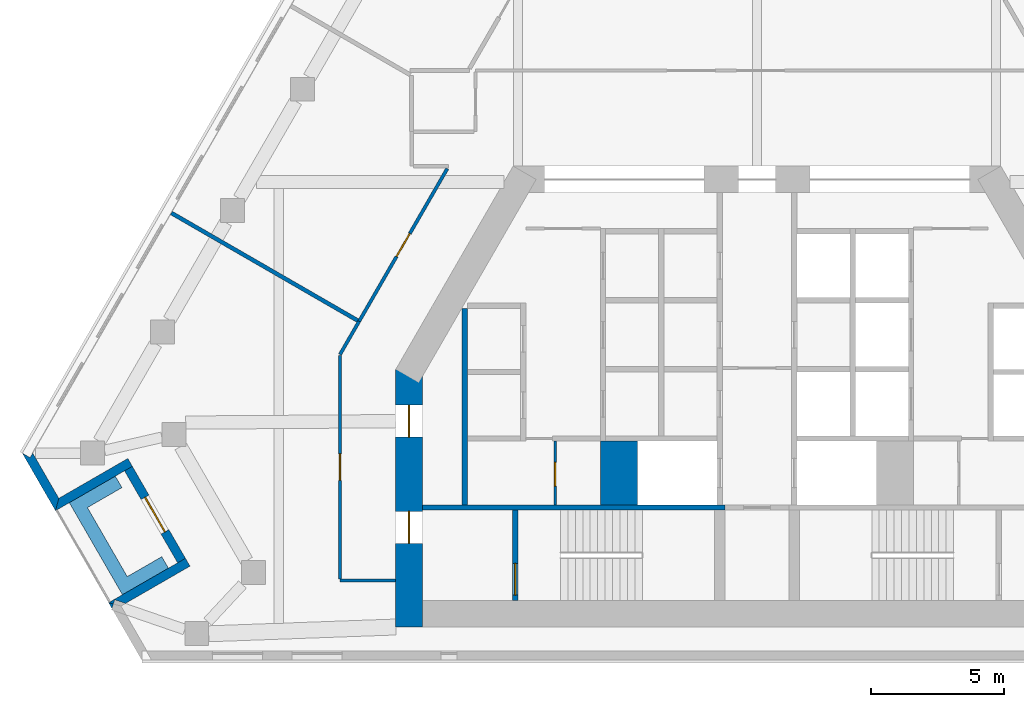
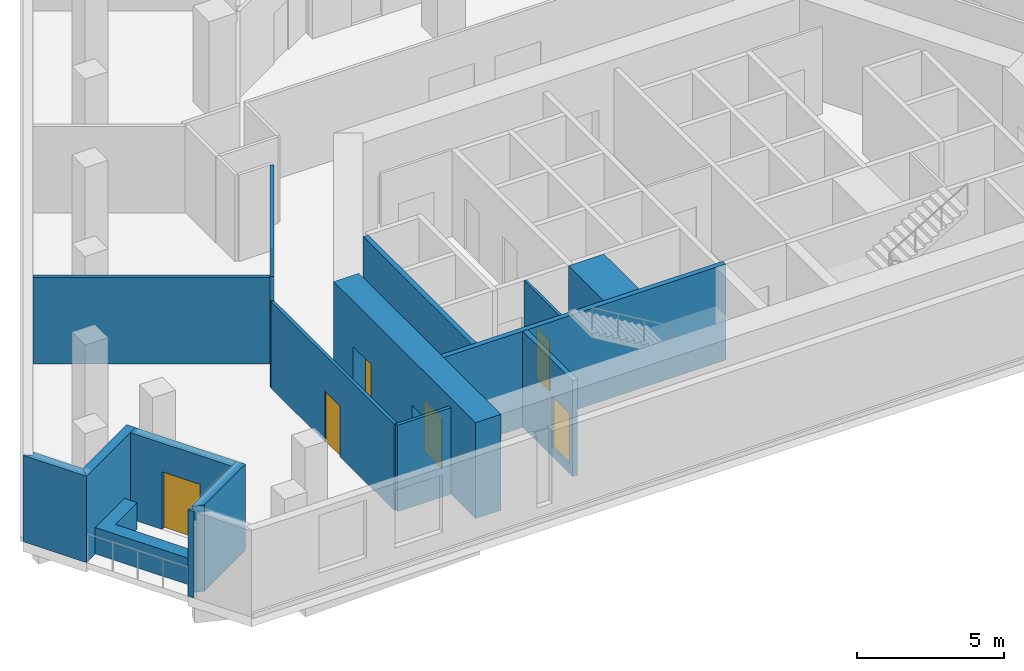
# One storey, part 3 of 9: 17 walls, 7 doors, 7 openings.
"""IFC4 building model written with IfcOpenShell, lengths in metres."""

from ifc_helpers import new_model, si_unit, direction, frame, frame_2d, origin, place, context, subcontext, project, spatial, polyline, rectangle, outline, extrude, material, layer, layer_set, type_object, element, fill, save


model = new_model("IFC4")

# Units and contexts
model_context = context("Model", 3, precision=1e-05, world=origin(), true_north=direction((0.0, 1.0)))
body_context = subcontext(model_context, "Body", "Model", "MODEL_VIEW")
ifc_project = project(units=[si_unit("LENGTHUNIT", "METRE"), si_unit("AREAUNIT", "SQUARE_METRE"), si_unit("VOLUMEUNIT", "CUBIC_METRE"), si_unit("PLANEANGLEUNIT", "RADIAN"), si_unit("MASSUNIT", "GRAM", prefix="KILO")], contexts=[model_context])

# Site, building, storey
site_placement = place(None, origin())
site = spatial("IfcSite", under=ifc_project, at=site_placement, CompositionType="ELEMENT")
building_placement = place(site_placement, origin())
building = spatial("IfcBuilding", under=site, at=building_placement, Name="Fogline Exchange Tower", CompositionType="ELEMENT")
storey_placement = place(building_placement, frame((0.0, 0.0, 202.10009765625)))
storey = spatial("IfcBuildingStorey", under=building, at=storey_placement, Name="L45", CompositionType="ELEMENT", Elevation=202.10009765625)

# Wall, opening, door
ifc_material_1 = material(Name="Blockwork partition", Category="masonry")
ifc_layer_1 = layer(ifc_material_1, 0.10009765625)
ifc_layer_set_1 = layer_set([ifc_layer_1], Name="CW10")
wall_type_1 = type_object("IfcWallType", Name="CW10", PredefinedType="PARTITIONING", material=ifc_layer_set_1)
wall_1_placement = place(storey_placement, frame((-7.60009765625, 5.85009765625, 0.0), z_axis=(0.0, 0.0, 1.0), x_axis=(0.0, 1.0, 0.0)))
wall_1 = element("IfcWall", 1, at=wall_1_placement, inside=storey, type_object=wall_type_1, Name="WC partition", PredefinedType="PARTITIONING", context=body_context, shape_type="SweptSolid", body=[
    extrude(rectangle(XDim=2.39990234375, YDim=0.10009765625, at=frame_2d((1.199951171875, 0.0))), origin(), (0.0, 0.0, 1.0), 3.599853515625),
])
opening_1_placement = place(wall_1_placement, frame((0.699951171875, 0.0, 0.0)))
opening_1 = element("IfcOpeningElement", 2, at=opening_1_placement, cuts=wall_1, Name="Opening T14-C013", PredefinedType="OPENING", context=body_context, shape_type="SweptSolid", body=[
    extrude(rectangle(XDim=0.89990234375, YDim=2.10009765625, at=frame_2d((0.449951171875, 1.050048828125))), frame((0.0, 0.06005859375, 0.0), z_axis=(0.0, -1.0, 0.0), x_axis=(1.0, 0.0, 0.0)), (0.0, 0.0, 1.0), 0.1201171875),
])
ifc_material_2 = material(Name="Steel and timber fire door", Category="steel")
door_type_1 = type_object("IfcDoorType", Name="D-CS1", OperationType="SINGLE_SWING_RIGHT", PredefinedType="DOOR", material=ifc_material_2)
door_1_placement = place(opening_1_placement, frame((0.89990234375, 0.0, 0.0), z_axis=(0.0, 0.0, 1.0), x_axis=(-1.0, 0.0, 0.0)))
door_1 = element("IfcDoor", 3, at=door_1_placement, inside=storey, type_object=door_type_1, Name="Door to Cleaner's Store", OperationType="SINGLE_SWING_RIGHT", OverallHeight=2.10009765625, OverallWidth=0.89990234375, PredefinedType="DOOR", context=body_context, shape_type="SweptSolid", body=[
    extrude(rectangle(XDim=0.89990234375, YDim=2.10009765625, at=frame_2d((0.449951171875, 1.050048828125))), frame((0.0, 0.02490234375, 0.0), z_axis=(0.0, -1.0, 0.0), x_axis=(1.0, 0.0, 0.0)), (0.0, 0.0, 1.0), 0.050048828125),
])
fill(opening_1, door_1)

# Walls
ifc_material_3 = material(Name="Concrete C60", Category="concrete")
ifc_layer_2 = layer(ifc_material_3, 1.39990234375)
ifc_layer_set_2 = layer_set([ifc_layer_2], Name="CW140")
wall_type_2 = type_object("IfcWallType", Name="CW140", PredefinedType="SOLIDWALL", material=ifc_layer_set_2)
wall_2_placement = place(storey_placement, frame((-5.199951171875, 5.85009765625, -0.400146484375), z_axis=(0.0, 0.0, 1.0), x_axis=(0.0, 1.0, 0.0)))
element("IfcWall", 4, at=wall_2_placement, inside=storey, type_object=wall_type_2, Name="Lift shaft block wall", PredefinedType="SOLIDWALL", context=body_context, shape_type="SweptSolid", body=[
    extrude(rectangle(XDim=2.39990234375, YDim=1.39990234375, at=frame_2d((1.199951171875, 0.0))), origin(), (0.0, 0.0, 1.0), 4.0),
])
ifc_material_4 = material(Name="Concrete C40", Category="concrete")
ifc_layer_3 = layer(ifc_material_4, 0.199951171875)
ifc_layer_set_3 = layer_set([ifc_layer_3], Name="CW20")
wall_type_3 = type_object("IfcWallType", Name="CW20", PredefinedType="SOLIDWALL", material=ifc_layer_set_3)
wall_3_placement = place(storey_placement, frame((-11.0, 5.85009765625, 0.0), z_axis=(0.0, 0.0, 1.0), x_axis=(0.0, 1.0, 0.0)))
element("IfcWall", 5, at=wall_3_placement, inside=storey, type_object=wall_type_3, Name="Service room wall", PredefinedType="SOLIDWALL", context=body_context, shape_type="SweptSolid", body=[
    extrude(rectangle(XDim=7.39990234375, YDim=0.199951171875, at=frame_2d((3.699951171875, 0.0))), origin(), (0.0, 0.0, 1.0), 3.599853515625),
])
ifc_layer_4 = layer(ifc_material_4, 0.199951171875)
ifc_layer_set_4 = layer_set([ifc_layer_4], Name="CW20R")
wall_type_4 = type_object("IfcWallType", Name="CW20R", PredefinedType="SOLIDWALL", material=ifc_layer_set_4)
wall_4_placement = place(storey_placement, frame((-12.60009765625, 5.75, -0.400146484375), z_axis=(0.0, 0.0, 1.0), x_axis=(1.0, 0.0, 0.0)))
element("IfcWall", 6, at=wall_4_placement, inside=storey, type_object=wall_type_4, Name="Stair enclosure wall", PredefinedType="SOLIDWALL", context=body_context, shape_type="SweptSolid", body=[
    extrude(rectangle(XDim=11.400146484375, YDim=0.199951171875, at=frame_2d((5.7001953125, 0.0))), origin(), (0.0, 0.0, 1.0), 4.0),
])

# Wall, opening, door
wall_5_placement = place(storey_placement, frame((-9.10009765625, 2.25, -0.400146484375), z_axis=(0.0, 0.0, 1.0), x_axis=(0.0, 1.0, 0.0)))
wall_5 = element("IfcWall", 7, at=wall_5_placement, inside=storey, type_object=wall_type_4, Name="Stair enclosure wall", PredefinedType="SOLIDWALL", context=body_context, shape_type="SweptSolid", body=[
    extrude(rectangle(XDim=3.39990234375, YDim=0.199951171875, at=frame_2d((1.699951171875, 0.0))), origin(), (0.0, 0.0, 1.0), 4.0),
])
opening_2_placement = place(wall_5_placement, frame((0.199951171875, 0.0, 0.39990234375)))
opening_2 = element("IfcOpeningElement", 8, at=opening_2_placement, cuts=wall_5, Name="Opening T14-C015", PredefinedType="OPENING", context=body_context, shape_type="SweptSolid", body=[
    extrude(rectangle(XDim=1.199951171875, YDim=2.10009765625, at=frame_2d((0.60009765625, 1.050048828125))), frame((0.0, 0.10986328125, 0.0), z_axis=(0.0, -1.0, 0.0), x_axis=(1.0, 0.0, 0.0)), (0.0, 0.0, 1.0), 0.219970703125),
])
door_type_2 = type_object("IfcDoorType", Name="D-ST1", OperationType="SINGLE_SWING_LEFT", PredefinedType="DOOR", material=ifc_material_2)
door_2_placement = place(opening_2_placement, frame((1.199951171875, 0.0, 0.0), z_axis=(0.0, 0.0, 1.0), x_axis=(-1.0, 0.0, 0.0)))
door_2 = element("IfcDoor", 9, at=door_2_placement, inside=storey, type_object=door_type_2, Name="Stair door ST1", OperationType="SINGLE_SWING_RIGHT", OverallHeight=2.10009765625, OverallWidth=1.199951171875, PredefinedType="DOOR", context=body_context, shape_type="SweptSolid", body=[
    extrude(rectangle(XDim=1.199951171875, YDim=2.10009765625, at=frame_2d((0.60009765625, 1.050048828125))), frame((0.0, 0.02490234375, 0.0), z_axis=(0.0, -1.0, 0.0), x_axis=(1.0, 0.0, 0.0)), (0.0, 0.0, 1.0), 0.050048828125),
])
fill(opening_2, door_2)

# Walls
ifc_material_5 = material(Name="Brick masonry", Category="masonry")
ifc_layer_5 = layer(ifc_material_5, 0.340087890625)
ifc_layer_set_5 = layer_set([ifc_layer_5], Name="FW1")
wall_type_5 = type_object("IfcWallType", Name="FW1", PredefinedType="SOLIDWALL", material=ifc_layer_set_5)
wall_6_placement = place(storey_placement, origin())
element("IfcWall", 10, at=wall_6_placement, inside=storey, type_object=wall_type_5, Name="Brick wall L45 SW-c1", PredefinedType="SOLIDWALL", context=body_context, shape_type="SweptSolid", body=[
    extrude(outline(polyline([(-26.408935546875, 5.6279296875), (-27.659912109375, 7.794921875), (-27.65966796875, 7.79541015625), (-27.36474609375, 7.625), (-27.266357421875, 7.79541015625), (-26.283935546875, 6.09375), (-26.40869140625, 5.6279296875), (-26.408935546875, 5.6279296875)])), origin(), (0.0, 0.0, 1.0), 3.599853515625),
])
wall_7_placement = place(storey_placement, origin())
element("IfcWall", 11, at=wall_7_placement, inside=storey, type_object=wall_type_5, Name="Brick wall L45 SW-s1", PredefinedType="SOLIDWALL", context=body_context, shape_type="SweptSolid", body=[
    extrude(outline(polyline([(-23.686279296875, 7.594482421875), (-23.515625, 7.298828125), (-23.810546875, 7.128662109375), (-26.409423828125, 5.628173828125), (-26.40966796875, 5.62841796875), (-26.284912109375, 6.093994140625), (-23.686279296875, 7.594482421875)])), origin(), (0.0, 0.0, 1.0), 3.599853515625),
])

# Wall, opening, door
wall_8_placement = place(storey_placement, frame((-23.66357421875, 7.214111328125, 0.0), z_axis=(0.0, 0.0, 1.0), x_axis=(0.49999894854, -0.866026010844, 0.0)))
wall_8 = element("IfcWall", 12, at=wall_8_placement, inside=storey, type_object=wall_type_5, Name="Brick wall L45 SW-bk", PredefinedType="SOLIDWALL", context=body_context, shape_type="SweptSolid", body=[
    extrude(rectangle(XDim=4.0, YDim=0.340087890625, at=frame_2d((2.0, 0.0))), origin(), (0.0, 0.0, 1.0), 3.599853515625),
])
opening_3_placement = place(wall_8_placement, frame((1.25, 0.0, 0.0)))
opening_3 = element("IfcOpeningElement", 13, at=opening_3_placement, cuts=wall_8, Name="Opening T14-E021", PredefinedType="OPENING", context=body_context, shape_type="SweptSolid", body=[
    extrude(rectangle(XDim=1.5, YDim=2.39990234375, at=frame_2d((0.75, 1.199951171875))), frame((0.0, 0.18017578125, 0.0), z_axis=(0.0, -1.0, 0.0), x_axis=(1.0, 0.0, 0.0)), (0.0, 0.0, 1.0), 0.360107421875),
])
ifc_material_6 = material(Name="Aluminium and glass", Category="aluminium")
door_type_3 = type_object("IfcDoorType", Name="ED4", OperationType="SINGLE_SWING_LEFT", PredefinedType="DOOR", material=ifc_material_6)
door_3_placement = place(opening_3_placement, frame((1.5, 0.0, 0.0), z_axis=(0.0, 0.0, 1.0), x_axis=(-1.0, 0.0, 0.0)))
door_3 = element("IfcDoor", 14, at=door_3_placement, inside=storey, type_object=door_type_3, Name="Balcony door L45 SW", OperationType="DOUBLE_DOOR_SINGLE_SWING", OverallHeight=2.39990234375, OverallWidth=1.5, PredefinedType="DOOR", context=body_context, shape_type="SweptSolid", body=[
    extrude(rectangle(XDim=1.5, YDim=2.39990234375, at=frame_2d((0.75, 1.199951171875))), frame((0.0, 0.02490234375, 0.0), z_axis=(0.0, -1.0, 0.0), x_axis=(1.0, 0.0, 0.0)), (0.0, 0.0, 1.0), 0.050048828125),
])
fill(opening_3, door_3)

# Walls
wall_9_placement = place(storey_placement, origin())
element("IfcWall", 15, at=wall_9_placement, inside=storey, type_object=wall_type_5, Name="Brick wall L45 SW-s2", PredefinedType="SOLIDWALL", context=body_context, shape_type="SweptSolid", body=[
    extrude(outline(polyline([(-21.81103515625, 3.66552734375), (-21.51611328125, 3.8359375), (-21.345458984375, 3.540283203125), (-23.7763671875, 2.136962890625), (-24.17431640625, 2.274169921875), (-24.22900390625, 2.1162109375), (-24.41015625, 2.164794921875), (-24.41015625, 2.1650390625), (-21.81103515625, 3.66552734375)])), origin(), (0.0, 0.0, 1.0), 3.599853515625),
])
wall_10_placement = place(storey_placement, origin())
element("IfcWall", 16, at=wall_10_placement, inside=storey, type_object=wall_type_5, Name="Brick wall L45 SW-c2", PredefinedType="SOLIDWALL", context=body_context, shape_type="SweptSolid", body=[
    extrude(outline(polyline([(-24.409912109375, 2.165771484375), (-24.40966796875, 2.166015625), (-24.228515625, 2.117431640625), (-24.285888671875, 1.950927734375), (-24.409912109375, 2.165771484375)])), origin(), (0.0, 0.0, 1.0), 3.599853515625),
])
ifc_material_7 = material(Name="Concrete C30", Category="concrete")
ifc_layer_6 = layer(ifc_material_7, 0.199951171875)
ifc_layer_set_6 = layer_set([ifc_layer_6], Name="PL1")
wall_type_6 = type_object("IfcWallType", Name="PL1", PredefinedType="USERDEFINED", material=ifc_layer_set_6)
wall_11_placement = place(storey_placement, origin())
element("IfcWall", 17, at=wall_11_placement, inside=storey, type_object=wall_type_6, Name="PLANTER balcony L45 SW", ObjectType="PLANTER", PredefinedType="USERDEFINED", context=body_context, shape_type="SweptSolid", body=[
    extrude(outline(polyline([(-22.4072265625, 3.898193359375), (-23.706298828125, 3.148193359375), (-25.206298828125, 5.74609375), (-23.9072265625, 6.49609375), (-24.1572265625, 6.92919921875), (-25.889404296875, 5.92919921875), (-25.639404296875, 5.49609375), (-23.889404296875, 2.465087890625), (-23.456298828125, 2.715087890625), (-23.456298828125, 2.715087890625), (-22.1572265625, 3.465087890625), (-22.4072265625, 3.898193359375)])), origin(), (0.0, 0.0, 1.0), 1.099853515625),
])

# Wall, opening, door
ifc_material_8 = material(Name="Plasterboard corridor partition with mineral wool, 2 layers each side")
ifc_layer_7 = layer(ifc_material_8, 0.125)
ifc_layer_set_7 = layer_set([ifc_layer_7], Name="PW2")
wall_type_7 = type_object("IfcWallType", Name="PW2", PredefinedType="PARTITIONING", material=ifc_layer_set_7)
wall_12_placement = place(storey_placement, frame((-14.9794921875, 12.756103515625, 0.0), z_axis=(0.0, 0.0, 1.0), x_axis=(0.499995140796, 0.866028209229, 0.0)))
wall_12 = element("IfcWall", 18, at=wall_12_placement, inside=storey, type_object=wall_type_7, Name="wall-L45-W014", PredefinedType="PARTITIONING", context=body_context, shape_type="SweptSolid", body=[
    extrude(rectangle(XDim=6.63916015625, YDim=0.125, at=frame_2d((3.319580078125, 0.0))), origin(), (0.0, 0.0, 1.0), 3.599853515625),
])
opening_4_placement = place(wall_12_placement, frame((2.819580078125, 0.0, 0.0)))
opening_4 = element("IfcOpeningElement", 19, at=opening_4_placement, cuts=wall_12, Name="Opening T14-D005", PredefinedType="OPENING", context=body_context, shape_type="SweptSolid", body=[
    extrude(rectangle(XDim=1.0, YDim=2.10009765625, at=frame_2d((0.5, 1.050048828125))), frame((0.0, 0.072509765625, 0.0), z_axis=(0.0, -1.0, 0.0), x_axis=(1.0, 0.0, 0.0)), (0.0, 0.0, 1.0), 0.14501953125),
])
ifc_material_9 = material(Name="Fire-rated timber door leaf with steel frame", Category="steel")
door_type_4 = type_object("IfcDoorType", Name="D3", OperationType="SINGLE_SWING_LEFT", PredefinedType="DOOR", material=ifc_material_9)
door_4_placement = place(opening_4_placement, origin())
door_4 = element("IfcDoor", 20, at=door_4_placement, inside=storey, type_object=door_type_4, Name="door-L45-D005", OperationType="SINGLE_SWING_LEFT", OverallHeight=2.10009765625, OverallWidth=1.0, PredefinedType="DOOR", context=body_context, shape_type="SweptSolid", body=[
    extrude(rectangle(XDim=1.0, YDim=2.10009765625, at=frame_2d((0.5, 1.050048828125))), frame((0.0, 0.02490234375, 0.0), z_axis=(0.0, -1.0, 0.0), x_axis=(1.0, 0.0, 0.0)), (0.0, 0.0, 1.0), 0.050048828125),
])
fill(opening_4, door_4)

# Wall
wall_13_placement = place(storey_placement, frame((-13.60009765625, 3.0, 0.0), z_axis=(0.0, 0.0, 1.0), x_axis=(-1.0, 0.0, 0.0)))
element("IfcWall", 21, at=wall_13_placement, inside=storey, type_object=wall_type_7, Name="wall-L45-W015", PredefinedType="PARTITIONING", context=body_context, shape_type="SweptSolid", body=[
    extrude(rectangle(XDim=2.099853515625, YDim=0.125, at=frame_2d((1.0498046875, 0.0))), origin(), (0.0, 0.0, 1.0), 3.599853515625),
])

# Wall, opening, door
wall_14_placement = place(storey_placement, frame((-15.699951171875, 3.0625, 0.0), z_axis=(0.0, 0.0, 1.0), x_axis=(0.0, 1.0, 0.0)))
wall_14 = element("IfcWall", 22, at=wall_14_placement, inside=storey, type_object=wall_type_7, Name="wall-L45-W016", PredefinedType="PARTITIONING", context=body_context, shape_type="SweptSolid", body=[
    extrude(rectangle(XDim=8.41455078125, YDim=0.125, at=frame_2d((4.207275390625, 0.0))), origin(), (0.0, 0.0, 1.0), 3.599853515625),
])
opening_5_placement = place(wall_14_placement, frame((3.707275390625, 0.0, 0.0)))
opening_5 = element("IfcOpeningElement", 23, at=opening_5_placement, cuts=wall_14, Name="Opening T14-D006", PredefinedType="OPENING", context=body_context, shape_type="SweptSolid", body=[
    extrude(rectangle(XDim=1.0, YDim=2.10009765625, at=frame_2d((0.5, 1.050048828125))), frame((0.0, 0.072509765625, 0.0), z_axis=(0.0, -1.0, 0.0), x_axis=(1.0, 0.0, 0.0)), (0.0, 0.0, 1.0), 0.14501953125),
])
door_5_placement = place(opening_5_placement, origin())
door_5 = element("IfcDoor", 24, at=door_5_placement, inside=storey, type_object=door_type_4, Name="door-L45-D006", OperationType="SINGLE_SWING_LEFT", OverallHeight=2.10009765625, OverallWidth=1.0, PredefinedType="DOOR", context=body_context, shape_type="SweptSolid", body=[
    extrude(rectangle(XDim=1.0, YDim=2.10009765625, at=frame_2d((0.5, 1.050048828125))), frame((0.0, 0.02490234375, 0.0), z_axis=(0.0, -1.0, 0.0), x_axis=(1.0, 0.0, 0.0)), (0.0, 0.0, 1.0), 0.050048828125),
])
fill(opening_5, door_5)

# Walls
wall_15_placement = place(storey_placement, frame((-15.699951171875, 11.508056640625, 0.0), z_axis=(0.0, 0.0, 1.0), x_axis=(0.499947322133, 0.866055815229, 0.0)))
element("IfcWall", 25, at=wall_15_placement, inside=storey, type_object=wall_type_7, Name="wall-L45-W017", PredefinedType="PARTITIONING", context=body_context, shape_type="SweptSolid", body=[
    extrude(rectangle(XDim=1.441162109375, YDim=0.125, at=frame_2d((0.720703125, 0.0))), origin(), (0.0, 0.0, 1.0), 3.599853515625),
])
ifc_material_10 = material(Name="Plasterboard demising partition with mineral wool and acoustic board")
ifc_layer_8 = layer(ifc_material_10, 0.14990234375)
ifc_layer_set_8 = layer_set([ifc_layer_8], Name="PW3")
wall_type_8 = type_object("IfcWallType", Name="PW3", PredefinedType="PARTITIONING", material=ifc_layer_set_8)
wall_16_placement = place(storey_placement, frame((-15.033447265625, 12.787353515625, 0.0), z_axis=(0.0, 0.0, 1.0), x_axis=(-0.866015374072, 0.50001737157, 0.0)))
element("IfcWall", 26, at=wall_16_placement, inside=storey, type_object=wall_type_8, Name="wall-L45-W035", PredefinedType="PARTITIONING", context=body_context, shape_type="SweptSolid", body=[
    extrude(rectangle(XDim=8.097412109375, YDim=0.14990234375, at=frame_2d((4.048828125, 0.0))), origin(), (0.0, 0.0, 1.0), 3.599853515625),
])

# Wall, openings, doors
ifc_layer_9 = layer(ifc_material_3, 1.0)
ifc_layer_set_9 = layer_set([ifc_layer_9], Name="SW03")
wall_type_9 = type_object("IfcWallType", Name="SW03", PredefinedType="SHEAR", material=ifc_layer_set_9)
wall_17_placement = place(storey_placement, frame((-13.10009765625, 10.9453125, 0.0), z_axis=(0.0, 0.0, 1.0), x_axis=(0.0, -1.0, 0.0)))
wall_17 = element("IfcWall", 27, at=wall_17_placement, inside=storey, type_object=wall_type_9, Name="L45-W906", PredefinedType="SHEAR", context=body_context, shape_type="SweptSolid", body=[
    extrude(rectangle(XDim=9.6953125, YDim=1.0, at=frame_2d((4.84765625, 0.0))), origin(), (0.0, 0.0, 1.0), 4.0),
])
opening_6_placement = place(wall_17_placement, frame((5.345458984375, 0.0, 0.0)))
opening_6 = element("IfcOpeningElement", 28, at=opening_6_placement, cuts=wall_17, Name="Opening T14-C014", PredefinedType="OPENING", context=body_context, shape_type="SweptSolid", body=[
    extrude(rectangle(XDim=1.199951171875, YDim=2.10009765625, at=frame_2d((0.60009765625, 1.050048828125))), frame((0.0, 0.510009765625, 0.0), z_axis=(0.0, -1.0, 0.0), x_axis=(1.0, 0.0, 0.0)), (0.0, 0.0, 1.0), 1.02001953125),
])
opening_7_placement = place(wall_17_placement, frame((1.345458984375, 0.0, 0.0)))
opening_7 = element("IfcOpeningElement", 29, at=opening_7_placement, cuts=wall_17, Name="Opening T14-C016", PredefinedType="OPENING", context=body_context, shape_type="SweptSolid", body=[
    extrude(rectangle(XDim=1.199951171875, YDim=2.10009765625, at=frame_2d((0.60009765625, 1.050048828125))), frame((0.0, 0.510009765625, 0.0), z_axis=(0.0, -1.0, 0.0), x_axis=(1.0, 0.0, 0.0)), (0.0, 0.0, 1.0), 1.02001953125),
])
door_type_5 = type_object("IfcDoorType", Name="D-FR1", OperationType="SINGLE_SWING_RIGHT", PredefinedType="DOOR", material=ifc_material_2)
door_6_placement = place(opening_6_placement, origin())
door_6 = element("IfcDoor", 30, at=door_6_placement, inside=storey, type_object=door_type_5, Name="Front room door ST1", OperationType="SINGLE_SWING_LEFT", OverallHeight=2.10009765625, OverallWidth=1.199951171875, PredefinedType="DOOR", context=body_context, shape_type="SweptSolid", body=[
    extrude(rectangle(XDim=1.199951171875, YDim=2.10009765625, at=frame_2d((0.60009765625, 1.050048828125))), frame((0.0, 0.02490234375, 0.0), z_axis=(0.0, -1.0, 0.0), x_axis=(1.0, 0.0, 0.0)), (0.0, 0.0, 1.0), 0.050048828125),
])
fill(opening_6, door_6)
door_type_6 = type_object("IfcDoorType", Name="D-SV1", OperationType="SINGLE_SWING_LEFT", PredefinedType="DOOR", material=ifc_material_2)
door_7_placement = place(opening_7_placement, origin())
door_7 = element("IfcDoor", 31, at=door_7_placement, inside=storey, type_object=door_type_6, Name="Service door W", OperationType="SINGLE_SWING_LEFT", OverallHeight=2.10009765625, OverallWidth=1.199951171875, PredefinedType="DOOR", context=body_context, shape_type="SweptSolid", body=[
    extrude(rectangle(XDim=1.199951171875, YDim=2.10009765625, at=frame_2d((0.60009765625, 1.050048828125))), frame((0.0, 0.02490234375, 0.0), z_axis=(0.0, -1.0, 0.0), x_axis=(1.0, 0.0, 0.0)), (0.0, 0.0, 1.0), 0.050048828125),
])
fill(opening_7, door_7)

save(model, "model.ifc")
